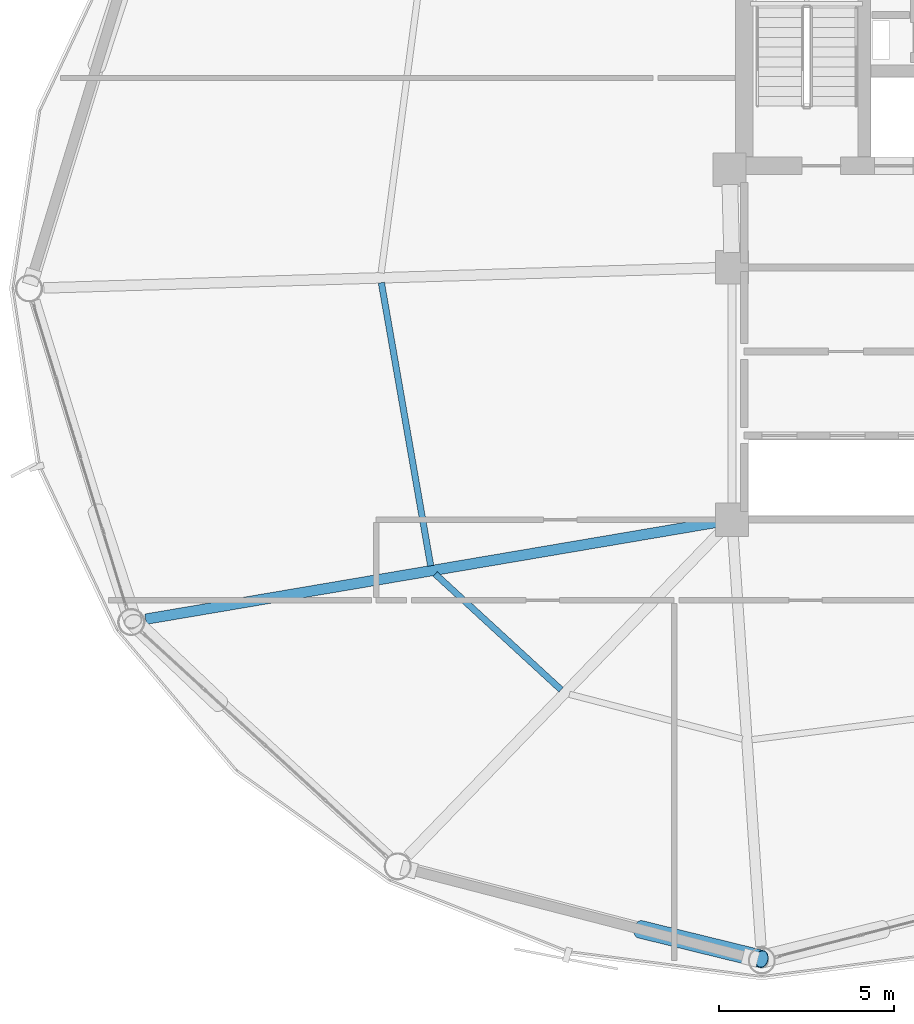
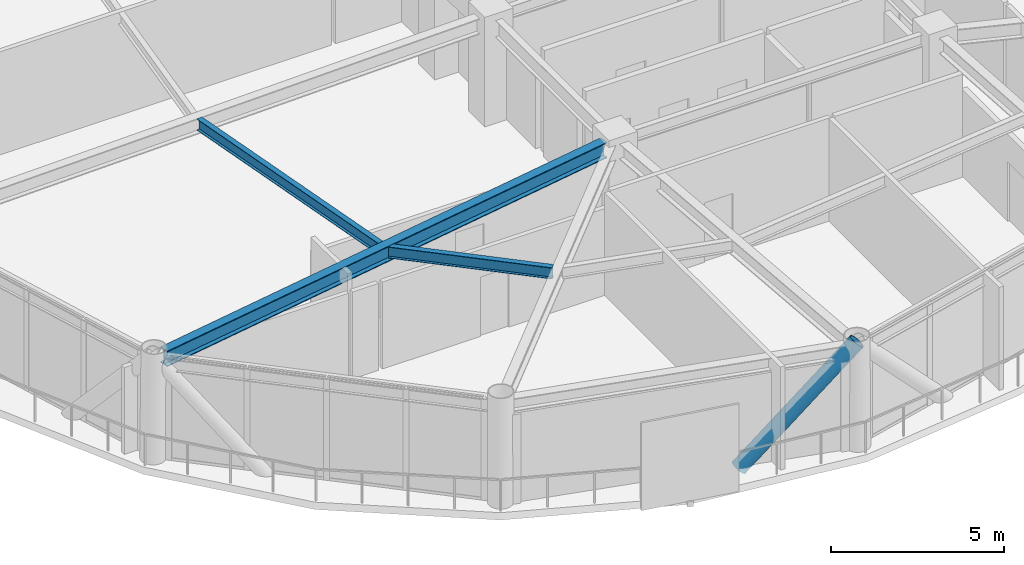
# One storey, part 6 of 27: 3 beams, 1 member.
"""IFC4 building model written with IfcOpenShell, lengths in metres."""

from ifc_helpers import new_model, si_unit, direction, frame, origin, origin_2d, place, context, subcontext, project, spatial, hollow_circle, i_section, extrude, material, material_profile, profile_set, type_object, element, save


model = new_model("IFC4")

# Units and contexts
model_context = context("Model", 3, precision=1e-05, world=origin(), true_north=direction((0.0, 1.0)))
body_context = subcontext(model_context, "Body", "Model", "MODEL_VIEW")
ifc_project = project(units=[si_unit("LENGTHUNIT", "METRE"), si_unit("AREAUNIT", "SQUARE_METRE"), si_unit("VOLUMEUNIT", "CUBIC_METRE"), si_unit("PLANEANGLEUNIT", "RADIAN"), si_unit("MASSUNIT", "GRAM", prefix="KILO")], contexts=[model_context])

# Site, building, storey
site_placement = place(None, origin())
site = spatial("IfcSite", under=ifc_project, at=site_placement, CompositionType="ELEMENT")
building_placement = place(site_placement, origin())
building = spatial("IfcBuilding", under=site, at=building_placement, Name="Varnakorn Sky Granary", CompositionType="ELEMENT")
storey_placement = place(building_placement, frame((0.0, 0.0, 142.199951171875)))
storey = spatial("IfcBuildingStorey", under=building, at=storey_placement, Name="L35", CompositionType="ELEMENT", Elevation=142.199951171875)

# Beams
ifc_material_1 = material(Name="Steel S355JR", Category="steel")
ifc_material_profile_1 = material_profile(ifc_material_1, i_section(OverallWidth=0.300048828125, OverallDepth=0.550048828125, WebThickness=0.014892578125, FlangeThickness=0.029052734375, at=origin_2d()), Name="HE 550 B")
ifc_profile_set_1 = profile_set([ifc_material_profile_1], Name="Steel S355JR")
beam_type_1 = type_object("IfcBeamType", Name="BM-RAD-Z3", PredefinedType="BEAM", material=ifc_profile_set_1)
beam_1_placement = place(storey_placement, frame((-2.76416015625, -6.67041015625, 3.364990234375), z_axis=(-0.985902732737, -0.167319459663, 0.0), x_axis=(0.167319459663, -0.985902732737, 0.0)))
element("IfcBeam", 1, at=beam_1_placement, inside=storey, type_object=beam_type_1, Name="Radial Floor Girder RG08 L35", PredefinedType="BEAM", context=body_context, shape_type="SweptSolid", body=[
    extrude(i_section(OverallWidth=0.300048828125, OverallDepth=0.550048828125, WebThickness=0.014892578125, FlangeThickness=0.029052734375, at=origin_2d()), origin(), (0.0, 0.0, 1.0), 16.548095703125),
])
ifc_material_profile_2 = material_profile(ifc_material_1, i_section(OverallWidth=0.179931640625, OverallDepth=0.39990234375, WebThickness=0.008544921875, FlangeThickness=0.013427734375, at=origin_2d()), Name="IPE 400")
ifc_profile_set_2 = profile_set([ifc_material_profile_2], Name="Steel S355JR")
beam_type_2 = type_object("IfcBeamType", Name="BM-SEC-Z3", PredefinedType="BEAM", material=ifc_profile_set_2)
beam_2_placement = place(storey_placement, frame((-12.35302734375, 0.161376953125, 3.43994140625), z_axis=(0.171641464581, -0.985159483351, 0.0), x_axis=(0.985159483351, 0.171641464581, 0.0)))
element("IfcBeam", 2, at=beam_2_placement, inside=storey, type_object=beam_type_2, Name="Secondary Floor Chord Beam MSB07 L35", PredefinedType="BEAM", context=body_context, shape_type="SweptSolid", body=[
    extrude(i_section(OverallWidth=0.179931640625, OverallDepth=0.39990234375, WebThickness=0.008544921875, FlangeThickness=0.013427734375, at=origin_2d()), origin(), (0.0, 0.0, 1.0), 8.199951171875),
])
beam_3_placement = place(storey_placement, frame((-10.818359375, -8.1494140625, 3.43994140625), z_axis=(0.736173245193, -0.676793139047, 0.0), x_axis=(0.676793139047, 0.736173245193, 0.0)))
element("IfcBeam", 3, at=beam_3_placement, inside=storey, type_object=beam_type_2, Name="Secondary Floor Chord Beam MSB08 L35", PredefinedType="BEAM", context=body_context, shape_type="SweptSolid", body=[
    extrude(i_section(OverallWidth=0.179931640625, OverallDepth=0.39990234375, WebThickness=0.008544921875, FlangeThickness=0.013427734375, at=origin_2d()), origin(), (0.0, 0.0, 1.0), 4.88037109375),
])

# Member
ifc_material_2 = material(Name="Steel S460M", Category="steel")
ifc_material_profile_3 = material_profile(ifc_material_2, hollow_circle(Radius=0.25390625, WallThickness=0.01806640625, at=origin_2d()), Name="CHS 508x18")
ifc_profile_set_3 = profile_set([ifc_material_profile_3], Name="Steel S460M")
member_type = type_object("IfcMemberType", Name="MB-DIAG-T2", PredefinedType="BRACE", material=ifc_profile_set_3)
member_placement = place(storey_placement, frame((-4.963623046875, -18.287353515625, -0.1298828125), z_axis=(0.667441449246, -0.163531858573, 0.726484165733), x_axis=(0.237974178406, 0.971271481313, 0.0)))
element("IfcMember", 4, at=member_placement, inside=storey, type_object=member_type, Name="Perimeter CHS Diagrid Brace DG09 L35", PredefinedType="BRACE", context=body_context, shape_type="SweptSolid", body=[
    extrude(hollow_circle(Radius=0.25390625, WallThickness=0.01806640625, at=origin_2d()), origin(), (0.0, 0.0, 1.0), 5.189453125),
])

save(model, "model.ifc")
